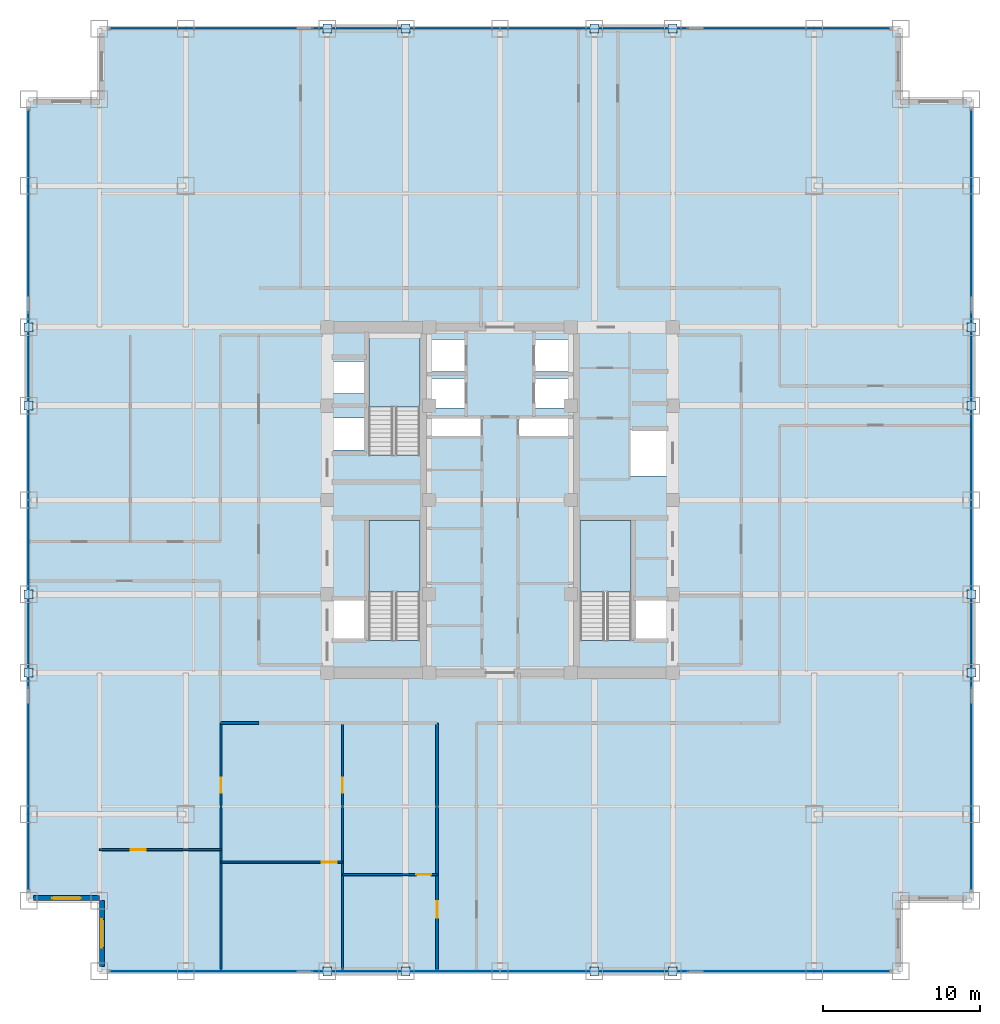
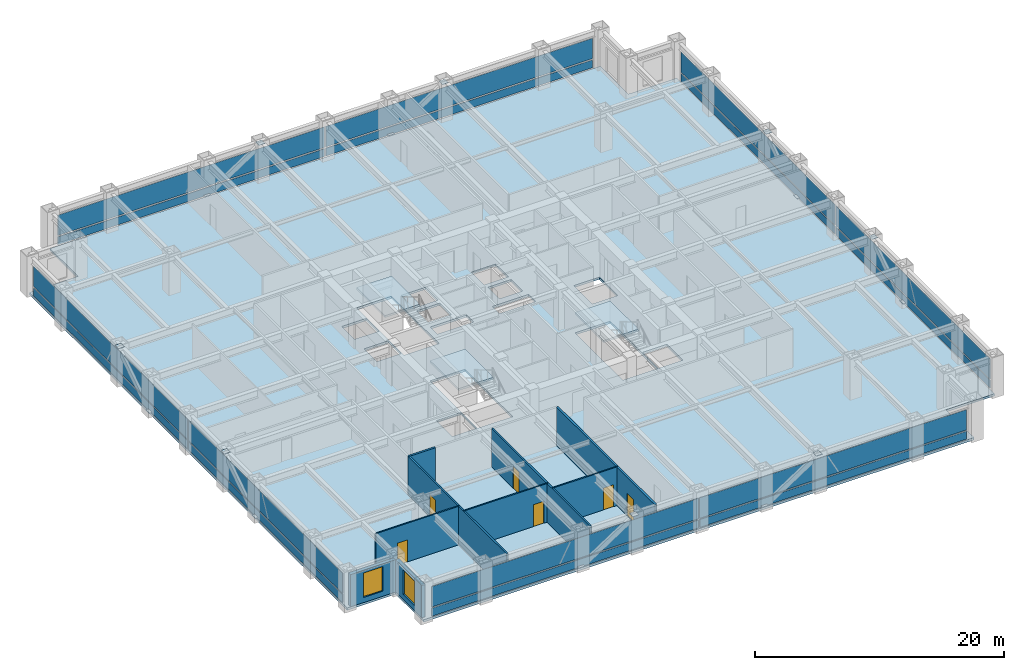
# One storey, part 19 of 24: 32 plates, 9 walls, 6 doors, 4 slabs, 2 windows, 8 openings, 7 elements without a shape of their own.
"""IFC4 building model written with IfcOpenShell, lengths in metres."""

from ifc_helpers import new_model, si_unit, direction, frame, frame_2d, origin, origin_2d, place, context, subcontext, project, spatial, polyline, rectangle, outline, extrude, source, transform, mapped, material, layer, layer_set, type_object, element, fill, aggregate, save


model = new_model("IFC4")

# Units and contexts
model_context = context("Model", 3, precision=1e-05, world=origin(), true_north=direction((0.0, 1.0)))
body_context = subcontext(model_context, "Body", "Model", "MODEL_VIEW")
ifc_project = project(units=[si_unit("LENGTHUNIT", "METRE"), si_unit("AREAUNIT", "SQUARE_METRE"), si_unit("VOLUMEUNIT", "CUBIC_METRE"), si_unit("PLANEANGLEUNIT", "RADIAN"), si_unit("MASSUNIT", "GRAM", prefix="KILO")], contexts=[model_context])

# Site, building, storey
site_placement = place(None, origin())
site = spatial("IfcSite", under=ifc_project, at=site_placement, CompositionType="ELEMENT")
building_placement = place(site_placement, origin())
building = spatial("IfcBuilding", under=site, at=building_placement, Name="Khorayat Bourse Tower", CompositionType="ELEMENT")
storey_placement = place(building_placement, frame((0.0, 0.0, 171.10009765625)))
storey = spatial("IfcBuildingStorey", under=building, at=storey_placement, Name="L39", CompositionType="ELEMENT", Elevation=171.10009765625)

# Stair, slab
ifc_material_1 = material(Name="Concrete C40/50", Category="concrete")
stair_type = type_object("IfcStairType", Name="STR-CORE-1550", PredefinedType="HALF_TURN_STAIR", material=ifc_material_1)
stair_1_placement = place(storey_placement, origin())
stair_1 = element("IfcStair", 1, at=stair_1_placement, inside=storey, type_object=stair_type, Name="L39 Exit Stair ST-1", PredefinedType="HALF_TURN_STAIR")
ifc_layer_1 = layer(ifc_material_1, 0.199951171875)
ifc_layer_set_1 = layer_set([ifc_layer_1], Name="Concrete C40/50")
slab_type_1 = type_object("IfcSlabType", Name="SLB-LANDING-200", PredefinedType="LANDING", material=ifc_layer_set_1)
slab_1_placement = place(storey_placement, frame((0.0, 0.0, 1.7998046875)))
slab_1 = element("IfcSlab", 2, at=slab_1_placement, type_object=slab_type_1, Name="ST-1 landing 1", PredefinedType="LANDING", context=body_context, shape_type="SweptSolid", body=[
    extrude(outline(polyline([(-5.10009765625, -5.8701171875), (-5.10009765625, -1.300048828125), (-8.35009765625, -1.300048828125), (-8.35009765625, -5.8701171875), (-5.10009765625, -5.8701171875)])), origin(), (0.0, 0.0, 1.0), 0.2001953125),
])
aggregate(stair_1, [slab_1])

stair_2_placement = place(storey_placement, origin())
stair_2 = element("IfcStair", 3, at=stair_2_placement, inside=storey, type_object=stair_type, Name="L39 Exit Stair ST-2", PredefinedType="HALF_TURN_STAIR")
slab_2_placement = place(storey_placement, frame((0.0, 0.0, 1.7998046875)))
slab_2 = element("IfcSlab", 4, at=slab_2_placement, type_object=slab_type_1, Name="ST-2 landing 1", PredefinedType="LANDING", context=body_context, shape_type="SweptSolid", body=[
    extrude(outline(polyline([(-5.10009765625, 5.929931640625), (-5.10009765625, 10.5), (-8.35009765625, 10.5), (-8.35009765625, 5.929931640625), (-5.10009765625, 5.929931640625)])), origin(), (0.0, 0.0, 1.0), 0.2001953125),
])
aggregate(stair_2, [slab_2])

stair_3_placement = place(storey_placement, origin())
stair_3 = element("IfcStair", 5, at=stair_3_placement, inside=storey, type_object=stair_type, Name="L39 Exit Stair ST-3", PredefinedType="HALF_TURN_STAIR")
slab_3_placement = place(storey_placement, frame((0.0, 0.0, 1.7998046875)))
slab_3 = element("IfcSlab", 6, at=slab_3_placement, type_object=slab_type_1, Name="ST-3 landing 1", PredefinedType="LANDING", context=body_context, shape_type="SweptSolid", body=[
    extrude(outline(polyline([(8.35009765625, -5.8701171875), (8.35009765625, -1.300048828125), (5.10009765625, -1.300048828125), (5.10009765625, -5.8701171875), (8.35009765625, -5.8701171875)])), origin(), (0.0, 0.0, 1.0), 0.2001953125),
])
aggregate(stair_3, [slab_3])

# Slab
ifc_layer_2 = layer(ifc_material_1, 0.219970703125)
ifc_layer_set_2 = layer_set([ifc_layer_2], Name="Concrete C40/50")
slab_type_2 = type_object("IfcSlabType", Name="SLB-OFFICE-220", PredefinedType="FLOOR", material=ifc_layer_set_2)
slab_4_placement = place(storey_placement, frame((0.0, 0.0, -0.22021484375)))
element("IfcSlab", 7, at=slab_4_placement, inside=storey, type_object=slab_type_2, Name="L39 Main Floor Slab", PredefinedType="FLOOR", context=body_context, shape_type="SweptSolid", body=[
    extrude(outline(polyline([(-25.5, -30.0), (25.5, -30.0), (25.5, -25.5), (30.0, -25.5), (30.0, 25.5), (25.5, 25.5), (25.5, 30.0), (-25.5, 30.0), (-25.5, 25.5), (-30.0, 25.5), (-30.0, -25.5), (-25.5, -25.5), (-25.5, -30.0)]), holes=[polyline([(-8.35009765625, -8.945068359375), (-5.10009765625, -8.945068359375), (-5.10009765625, -1.300048828125), (-8.35009765625, -1.300048828125), (-8.35009765625, -8.945068359375)]), polyline([(-8.35009765625, 2.85498046875), (-5.10009765625, 2.85498046875), (-5.10009765625, 10.5), (-8.35009765625, 10.5), (-8.35009765625, 2.85498046875)]), polyline([(5.10009765625, -8.945068359375), (8.35009765625, -8.945068359375), (8.35009765625, -1.300048828125), (5.10009765625, -1.300048828125), (5.10009765625, -8.945068359375)]), polyline([(-4.3798828125, 8.169921875), (-2.1201171875, 8.169921875), (-2.1201171875, 10.22998046875), (-4.3798828125, 10.22998046875), (-4.3798828125, 8.169921875)]), polyline([(2.1201171875, 8.169921875), (4.3798828125, 8.169921875), (4.3798828125, 10.22998046875), (2.1201171875, 10.22998046875), (2.1201171875, 8.169921875)]), polyline([(-4.3798828125, 5.8701171875), (-2.219970703125, 5.8701171875), (-2.219970703125, 7.72998046875), (-4.3798828125, 7.72998046875), (-4.3798828125, 5.8701171875)]), polyline([(2.219970703125, 5.8701171875), (4.3798828125, 5.8701171875), (4.3798828125, 7.72998046875), (2.219970703125, 7.72998046875), (2.219970703125, 5.8701171875)]), polyline([(-10.679931640625, 3.169921875), (-8.419921875, 3.169921875), (-8.419921875, 5.22998046875), (-10.679931640625, 5.22998046875), (-10.679931640625, 3.169921875)]), polyline([(-10.679931640625, 6.77001953125), (-8.419921875, 6.77001953125), (-8.419921875, 8.830078125), (-10.679931640625, 8.830078125), (-10.679931640625, 6.77001953125)]), polyline([(-10.679931640625, -8.929931640625), (-8.419921875, -8.929931640625), (-8.419921875, -6.3701171875), (-10.679931640625, -6.3701171875), (-10.679931640625, -8.929931640625)]), polyline([(8.419921875, -8.929931640625), (10.679931640625, -8.929931640625), (10.679931640625, -6.3701171875), (8.419921875, -6.3701171875), (8.419921875, -8.929931640625)]), polyline([(8.320068359375, 1.52001953125), (10.679931640625, 1.52001953125), (10.679931640625, 4.47998046875), (8.320068359375, 4.47998046875), (8.320068359375, 1.52001953125)]), polyline([(-4.56005859375, 4.080078125), (-1.18994140625, 4.080078125), (-1.18994140625, 5.219970703125), (-4.56005859375, 5.219970703125), (-4.56005859375, 4.080078125)]), polyline([(1.18994140625, 4.080078125), (4.56005859375, 4.080078125), (4.56005859375, 5.219970703125), (1.18994140625, 5.219970703125), (1.18994140625, 4.080078125)])]), origin(), (0.0, 0.0, 1.0), 0.22021484375),
])

# Plates
ifc_material_2 = material(Name="Steel EN 10025-2 S355J2", Category="steel")
ifc_layer_3 = layer(ifc_material_2, 0.02490234375)
ifc_layer_set_3 = layer_set([ifc_layer_3], Name="Steel EN 10025-2 S355J2")
plate_type_1 = type_object("IfcPlateType", Name="PLT-ENDCAP-25", PredefinedType="SHEET", material=ifc_layer_set_3)
shared_shape_1 = source(origin(), body_context, "Body", "SweptSolid", [
    extrude(rectangle(XDim=0.56005859375, YDim=0.56005859375, at=origin_2d()), origin(), (0.0, 0.0, 1.0), 0.02490234375),
])
for number, where, z_axis, x_axis, name in (
    (8, (-11.0, -30.0, 0.237548828125), (0.0, 0.0, 1.0), (1.0, 0.0, 0.0), "L39 Perimeter Brace End Plate 001"),
    (9, (-6.0, -30.0, 3.517333984375), (0.0, 0.0, 1.0), (1.0, 0.0, 0.0), "L39 Perimeter Brace End Plate 002"),
    (10, (6.0, -30.0, 0.237548828125), (0.0, 0.0, 1.0), (1.0, 0.0, 0.0), "L39 Perimeter Brace End Plate 003"),
    (11, (11.0, -30.0, 3.517333984375), (0.0, 0.0, 1.0), (1.0, 0.0, 0.0), "L39 Perimeter Brace End Plate 004"),
    (12, (-11.0, 30.0, 0.237548828125), (0.0, 0.0, 1.0), (1.0, 0.0, 0.0), "L39 Perimeter Brace End Plate 005"),
    (13, (-6.0, 30.0, 3.517333984375), (0.0, 0.0, 1.0), (1.0, 0.0, 0.0), "L39 Perimeter Brace End Plate 006"),
    (14, (6.0, 30.0, 0.237548828125), (0.0, 0.0, 1.0), (1.0, 0.0, 0.0), "L39 Perimeter Brace End Plate 007"),
    (15, (11.0, 30.0, 3.517333984375), (0.0, 0.0, 1.0), (1.0, 0.0, 0.0), "L39 Perimeter Brace End Plate 008"),
    (16, (-30.0, -11.0, 0.237548828125), (0.0, 0.0, 1.0), (1.0, 0.0, 0.0), "L39 Perimeter Brace End Plate 009"),
    (17, (-30.0, -6.0, 3.517333984375), (0.0, 0.0, 1.0), (1.0, 0.0, 0.0), "L39 Perimeter Brace End Plate 010"),
    (18, (-30.0, 6.0, 0.237548828125), (0.0, 0.0, 1.0), (1.0, 0.0, 0.0), "L39 Perimeter Brace End Plate 011"),
    (19, (-30.0, 11.0, 3.517333984375), (0.0, 0.0, 1.0), (1.0, 0.0, 0.0), "L39 Perimeter Brace End Plate 012"),
    (20, (30.0, -11.0, 0.237548828125), (0.0, 0.0, 1.0), (1.0, 0.0, 0.0), "L39 Perimeter Brace End Plate 013"),
    (21, (30.0, -6.0, 3.517333984375), (0.0, 0.0, 1.0), (1.0, 0.0, 0.0), "L39 Perimeter Brace End Plate 014"),
    (22, (30.0, 6.0, 0.237548828125), (0.0, 0.0, 1.0), (1.0, 0.0, 0.0), "L39 Perimeter Brace End Plate 015"),
    (23, (30.0, 11.0, 3.517333984375), (0.0, 0.0, 1.0), (1.0, 0.0, 0.0), "L39 Perimeter Brace End Plate 016"),
):
    element("IfcPlate", number, at=place(storey_placement, frame(where, z_axis=z_axis, x_axis=x_axis)), inside=storey, type_object=plate_type_1, Name=name, PredefinedType="SHEET", context=body_context, shape_type="MappedRepresentation", body=[
        mapped(shared_shape_1, transform((0.0, 0.0, 0.0), scale=1.0)),
    ])

# Curtain wall, plates
ifc_material_3 = material(Name="Aluminium EN AW-6063 T6", Category="aluminium")
curtain_wall_type = type_object("IfcCurtainWallType", Name="CW-SYS-03", PredefinedType="NOTDEFINED", material=ifc_material_3)
curtain_wall_1_placement = place(storey_placement, origin())
curtain_wall_1 = element("IfcCurtainWall", 24, at=curtain_wall_1_placement, inside=storey, type_object=curtain_wall_type, Name="L39 Curtain Wall CW-L39-S1", PredefinedType="NOTDEFINED")
ifc_material_4 = material(Name="Honed desert limestone insulated spandrel", Category="masonry")
ifc_layer_4 = layer(ifc_material_4, 0.06494140625)
ifc_layer_set_4 = layer_set([ifc_layer_4], Name="Honed desert limestone insulated spandrel")
plate_type_2 = type_object("IfcPlateType", Name="CWP-SPAND-03", PredefinedType="CURTAIN_PANEL", material=ifc_layer_set_4)
shared_shape_2 = source(origin(), body_context, "Body", "SweptSolid", [
    extrude(rectangle(XDim=24.719970703125, YDim=0.06494140625, at=origin_2d()), origin(), (0.0, 0.0, 1.0), 0.77001953125),
])
plate_1_placement = place(storey_placement, frame((-12.419921875, -30.0, 0.119873046875), z_axis=(0.0, 0.0, 1.0), x_axis=(1.0, 0.0, 0.0)))
plate_1 = element("IfcPlate", 25, at=plate_1_placement, type_object=plate_type_2, Name="CW-L39-S1 Spandrel Panel 1-1", PredefinedType="CURTAIN_PANEL", context=body_context, shape_type="MappedRepresentation", body=[
    mapped(shared_shape_2, transform((0.0, 0.0, 0.0), scale=1.0)),
])
plate_2_placement = place(storey_placement, frame((12.419921875, -30.0, 0.119873046875), z_axis=(0.0, 0.0, 1.0), x_axis=(1.0, 0.0, 0.0)))
plate_2 = element("IfcPlate", 26, at=plate_2_placement, type_object=plate_type_2, Name="CW-L39-S1 Spandrel Panel 2-1", PredefinedType="CURTAIN_PANEL", context=body_context, shape_type="MappedRepresentation", body=[
    mapped(shared_shape_2, transform((0.0, 0.0, 0.0), scale=1.0)),
])

curtain_wall_2_placement = place(storey_placement, origin())
curtain_wall_2 = element("IfcCurtainWall", 27, at=curtain_wall_2_placement, inside=storey, type_object=curtain_wall_type, Name="L39 Curtain Wall CW-L39-N1", PredefinedType="NOTDEFINED")
plate_3_placement = place(storey_placement, frame((-12.419921875, 30.0, 0.119873046875), z_axis=(0.0, 0.0, 1.0), x_axis=(1.0, 0.0, 0.0)))
plate_3 = element("IfcPlate", 28, at=plate_3_placement, type_object=plate_type_2, Name="CW-L39-N1 Spandrel Panel 1-1", PredefinedType="CURTAIN_PANEL", context=body_context, shape_type="MappedRepresentation", body=[
    mapped(shared_shape_2, transform((0.0, 0.0, 0.0), scale=1.0)),
])
plate_4_placement = place(storey_placement, frame((12.419921875, 30.0, 0.119873046875), z_axis=(0.0, 0.0, 1.0), x_axis=(1.0, 0.0, 0.0)))
plate_4 = element("IfcPlate", 29, at=plate_4_placement, type_object=plate_type_2, Name="CW-L39-N1 Spandrel Panel 2-1", PredefinedType="CURTAIN_PANEL", context=body_context, shape_type="MappedRepresentation", body=[
    mapped(shared_shape_2, transform((0.0, 0.0, 0.0), scale=1.0)),
])

curtain_wall_3_placement = place(storey_placement, origin())
curtain_wall_3 = element("IfcCurtainWall", 30, at=curtain_wall_3_placement, inside=storey, type_object=curtain_wall_type, Name="L39 Curtain Wall CW-L39-W1", PredefinedType="NOTDEFINED")
plate_5_placement = place(storey_placement, frame((-30.0, -12.419921875, 0.119873046875), z_axis=(0.0, 0.0, 1.0), x_axis=(0.0, 1.0, 0.0)))
plate_5 = element("IfcPlate", 31, at=plate_5_placement, type_object=plate_type_2, Name="CW-L39-W1 Spandrel Panel 1-1", PredefinedType="CURTAIN_PANEL", context=body_context, shape_type="MappedRepresentation", body=[
    mapped(shared_shape_2, transform((0.0, 0.0, 0.0), scale=1.0)),
])
plate_6_placement = place(storey_placement, frame((-30.0, 12.419921875, 0.119873046875), z_axis=(0.0, 0.0, 1.0), x_axis=(0.0, 1.0, 0.0)))
plate_6 = element("IfcPlate", 32, at=plate_6_placement, type_object=plate_type_2, Name="CW-L39-W1 Spandrel Panel 2-1", PredefinedType="CURTAIN_PANEL", context=body_context, shape_type="MappedRepresentation", body=[
    mapped(shared_shape_2, transform((0.0, 0.0, 0.0), scale=1.0)),
])

curtain_wall_4_placement = place(storey_placement, origin())
curtain_wall_4 = element("IfcCurtainWall", 33, at=curtain_wall_4_placement, inside=storey, type_object=curtain_wall_type, Name="L39 Curtain Wall CW-L39-E1", PredefinedType="NOTDEFINED")
plate_7_placement = place(storey_placement, frame((30.0, -12.419921875, 0.119873046875), z_axis=(0.0, 0.0, 1.0), x_axis=(0.0, 1.0, 0.0)))
plate_7 = element("IfcPlate", 34, at=plate_7_placement, type_object=plate_type_2, Name="CW-L39-E1 Spandrel Panel 1-1", PredefinedType="CURTAIN_PANEL", context=body_context, shape_type="MappedRepresentation", body=[
    mapped(shared_shape_2, transform((0.0, 0.0, 0.0), scale=1.0)),
])
plate_8_placement = place(storey_placement, frame((30.0, 12.419921875, 0.119873046875), z_axis=(0.0, 0.0, 1.0), x_axis=(0.0, 1.0, 0.0)))
plate_8 = element("IfcPlate", 35, at=plate_8_placement, type_object=plate_type_2, Name="CW-L39-E1 Spandrel Panel 2-1", PredefinedType="CURTAIN_PANEL", context=body_context, shape_type="MappedRepresentation", body=[
    mapped(shared_shape_2, transform((0.0, 0.0, 0.0), scale=1.0)),
])

# Plate
ifc_material_5 = material(Name="Low-E solar-control laminated double glazing", Category="glass")
ifc_layer_5 = layer(ifc_material_5, 0.035888671875)
ifc_layer_set_5 = layer_set([ifc_layer_5], Name="Low-E solar-control laminated double glazing")
plate_type_3 = type_object("IfcPlateType", Name="CWP-VIS-01", PredefinedType="CURTAIN_PANEL", material=ifc_layer_set_5)
shared_shape_3 = source(origin(), body_context, "Body", "SweptSolid", [
    extrude(rectangle(XDim=24.719970703125, YDim=0.035888671875, at=origin_2d()), origin(), (0.0, 0.0, 1.0), 2.0),
])
plate_9_placement = place(storey_placement, frame((-12.419921875, -30.0, 1.010009765625), z_axis=(0.0, 0.0, 1.0), x_axis=(1.0, 0.0, 0.0)))
plate_9 = element("IfcPlate", 36, at=plate_9_placement, type_object=plate_type_3, Name="CW-L39-S1 Vision Panel 1-2", PredefinedType="CURTAIN_PANEL", context=body_context, shape_type="MappedRepresentation", body=[
    mapped(shared_shape_3, transform((0.0, 0.0, 0.0), scale=1.0)),
])

plate_10_placement = place(storey_placement, frame((12.419921875, -30.0, 1.010009765625), z_axis=(0.0, 0.0, 1.0), x_axis=(1.0, 0.0, 0.0)))
plate_10 = element("IfcPlate", 37, at=plate_10_placement, type_object=plate_type_3, Name="CW-L39-S1 Vision Panel 2-2", PredefinedType="CURTAIN_PANEL", context=body_context, shape_type="MappedRepresentation", body=[
    mapped(shared_shape_3, transform((0.0, 0.0, 0.0), scale=1.0)),
])

aggregate(curtain_wall_1, [plate_1, plate_9, plate_2, plate_10])

plate_11_placement = place(storey_placement, frame((-12.419921875, 30.0, 1.010009765625), z_axis=(0.0, 0.0, 1.0), x_axis=(1.0, 0.0, 0.0)))
plate_11 = element("IfcPlate", 38, at=plate_11_placement, type_object=plate_type_3, Name="CW-L39-N1 Vision Panel 1-2", PredefinedType="CURTAIN_PANEL", context=body_context, shape_type="MappedRepresentation", body=[
    mapped(shared_shape_3, transform((0.0, 0.0, 0.0), scale=1.0)),
])

plate_12_placement = place(storey_placement, frame((12.419921875, 30.0, 1.010009765625), z_axis=(0.0, 0.0, 1.0), x_axis=(1.0, 0.0, 0.0)))
plate_12 = element("IfcPlate", 39, at=plate_12_placement, type_object=plate_type_3, Name="CW-L39-N1 Vision Panel 2-2", PredefinedType="CURTAIN_PANEL", context=body_context, shape_type="MappedRepresentation", body=[
    mapped(shared_shape_3, transform((0.0, 0.0, 0.0), scale=1.0)),
])

aggregate(curtain_wall_2, [plate_3, plate_11, plate_4, plate_12])

plate_13_placement = place(storey_placement, frame((-30.0, -12.419921875, 1.010009765625), z_axis=(0.0, 0.0, 1.0), x_axis=(0.0, 1.0, 0.0)))
plate_13 = element("IfcPlate", 40, at=plate_13_placement, type_object=plate_type_3, Name="CW-L39-W1 Vision Panel 1-2", PredefinedType="CURTAIN_PANEL", context=body_context, shape_type="MappedRepresentation", body=[
    mapped(shared_shape_3, transform((0.0, 0.0, 0.0), scale=1.0)),
])

plate_14_placement = place(storey_placement, frame((-30.0, 12.419921875, 1.010009765625), z_axis=(0.0, 0.0, 1.0), x_axis=(0.0, 1.0, 0.0)))
plate_14 = element("IfcPlate", 41, at=plate_14_placement, type_object=plate_type_3, Name="CW-L39-W1 Vision Panel 2-2", PredefinedType="CURTAIN_PANEL", context=body_context, shape_type="MappedRepresentation", body=[
    mapped(shared_shape_3, transform((0.0, 0.0, 0.0), scale=1.0)),
])

aggregate(curtain_wall_3, [plate_5, plate_13, plate_6, plate_14])

plate_15_placement = place(storey_placement, frame((30.0, -12.419921875, 1.010009765625), z_axis=(0.0, 0.0, 1.0), x_axis=(0.0, 1.0, 0.0)))
plate_15 = element("IfcPlate", 42, at=plate_15_placement, type_object=plate_type_3, Name="CW-L39-E1 Vision Panel 1-2", PredefinedType="CURTAIN_PANEL", context=body_context, shape_type="MappedRepresentation", body=[
    mapped(shared_shape_3, transform((0.0, 0.0, 0.0), scale=1.0)),
])

plate_16_placement = place(storey_placement, frame((30.0, 12.419921875, 1.010009765625), z_axis=(0.0, 0.0, 1.0), x_axis=(0.0, 1.0, 0.0)))
plate_16 = element("IfcPlate", 43, at=plate_16_placement, type_object=plate_type_3, Name="CW-L39-E1 Vision Panel 2-2", PredefinedType="CURTAIN_PANEL", context=body_context, shape_type="MappedRepresentation", body=[
    mapped(shared_shape_3, transform((0.0, 0.0, 0.0), scale=1.0)),
])

aggregate(curtain_wall_4, [plate_7, plate_15, plate_8, plate_16])

# Wall, opening, window
ifc_material_6 = material(Name="Precast concrete C45/55", Category="concrete")
ifc_layer_6 = layer(ifc_material_6, 0.320068359375)
ifc_layer_set_6 = layer_set([ifc_layer_6], Name="Precast concrete C45/55")
wall_type_1 = type_object("IfcWallType", Name="WAL-EXT-STONE-320", PredefinedType="STANDARD", material=ifc_layer_set_6)
shared_shape_4 = source(origin(), body_context, "Body", "SweptSolid", [
    extrude(rectangle(XDim=4.179931640625, YDim=0.320068359375, at=frame_2d((2.08984375, 0.0))), origin(), (0.0, 0.0, 1.0), 3.163818359375),
])
wall_1_placement = place(storey_placement, frame((-25.5, -25.340087890625, 0.0), z_axis=(0.0, 0.0, 1.0), x_axis=(-1.0, 0.0, 0.0)))
wall_1 = element("IfcWall", 44, at=wall_1_placement, inside=storey, type_object=wall_type_1, Name="L39 Re-Entrant Notch Limestone Wall SW-H", PredefinedType="STANDARD", context=body_context, shape_type="MappedRepresentation", body=[
    mapped(shared_shape_4, transform((0.0, 0.0, 0.0), scale=1.0)),
])
shared_shape_5 = source(origin(), body_context, "Body", "SweptSolid", [
    extrude(rectangle(XDim=1.800048828125, YDim=2.39990234375, at=frame_2d((0.89990234375, 1.199951171875))), frame((0.0, 0.169921875, 0.0), z_axis=(0.0, -1.0, 0.0), x_axis=(1.0, 0.0, 0.0)), (0.0, 0.0, 1.0), 0.340087890625),
])
opening_1_placement = place(wall_1_placement, frame((1.18994140625, 0.0, 0.5)))
opening_1 = element("IfcOpeningElement", 45, at=opening_1_placement, cuts=wall_1, Name="Opening WN-04", PredefinedType="OPENING", context=body_context, shape_type="MappedRepresentation", body=[
    mapped(shared_shape_5, transform((0.0, 0.0, 0.0), scale=1.0)),
])
ifc_material_7 = material(Name="Low-E acoustic laminated double glazing", Category="glass")
window_type = type_object("IfcWindowType", Name="WIN-NOTCH-1800x2400", PartitioningType="SINGLE_PANEL", PredefinedType="WINDOW", material=ifc_material_7)
shared_shape_6 = source(origin(), body_context, "Body", "SweptSolid", [
    extrude(rectangle(XDim=1.800048828125, YDim=2.39990234375, at=frame_2d((0.89990234375, 1.199951171875))), frame((0.0, 0.030029296875, 0.0), z_axis=(0.0, -1.0, 0.0), x_axis=(1.0, 0.0, 0.0)), (0.0, 0.0, 1.0), 0.06005859375),
])
window_1_placement = place(opening_1_placement, origin())
window_1 = element("IfcWindow", 46, at=window_1_placement, inside=storey, type_object=window_type, Name="L39 Facade Window 1", OverallHeight=2.39990234375, OverallWidth=1.800048828125, PartitioningType="SINGLE_PANEL", PredefinedType="WINDOW", context=body_context, shape_type="MappedRepresentation", body=[
    mapped(shared_shape_6, transform((0.0, 0.0, 0.0), scale=1.0)),
])
fill(opening_1, window_1)

wall_2_placement = place(storey_placement, frame((-25.340087890625, -29.679931640625, 0.0), z_axis=(0.0, 0.0, 1.0), x_axis=(0.0, 1.0, 0.0)))
wall_2 = element("IfcWall", 47, at=wall_2_placement, inside=storey, type_object=wall_type_1, Name="L39 Re-Entrant Notch Limestone Wall SW-V", PredefinedType="STANDARD", context=body_context, shape_type="MappedRepresentation", body=[
    mapped(shared_shape_4, transform((0.0, 0.0, 0.0), scale=1.0)),
])
opening_2_placement = place(wall_2_placement, frame((1.18994140625, 0.0, 0.5)))
opening_2 = element("IfcOpeningElement", 48, at=opening_2_placement, cuts=wall_2, Name="Opening WN-04", PredefinedType="OPENING", context=body_context, shape_type="MappedRepresentation", body=[
    mapped(shared_shape_5, transform((0.0, 0.0, 0.0), scale=1.0)),
])
window_2_placement = place(opening_2_placement, origin())
window_2 = element("IfcWindow", 49, at=window_2_placement, inside=storey, type_object=window_type, Name="L39 Facade Window 1", OverallHeight=2.39990234375, OverallWidth=1.800048828125, PartitioningType="SINGLE_PANEL", PredefinedType="WINDOW", context=body_context, shape_type="MappedRepresentation", body=[
    mapped(shared_shape_6, transform((0.0, 0.0, 0.0), scale=1.0)),
])
fill(opening_2, window_2)

# Wall
ifc_material_8 = material(Name="Gypsum plasterboard acoustic stud wall")
ifc_layer_7 = layer(ifc_material_8, 0.179931640625)
ifc_layer_set_7 = layer_set([ifc_layer_7], Name="Gypsum plasterboard acoustic stud wall")
wall_type_2 = type_object("IfcWallType", Name="WAL-PART-CORR-180", PredefinedType="PARTITIONING", material=ifc_layer_set_7)
shared_shape_7 = source(origin(), body_context, "Body", "SweptSolid", [
    extrude(rectangle(XDim=2.449951171875, YDim=0.179931640625, at=frame_2d((1.22509765625, 0.0))), origin(), (0.0, 0.0, 1.0), 3.77978515625),
])
wall_3_placement = place(storey_placement, frame((-17.800048828125, -14.199951171875, 0.0), z_axis=(0.0, 0.0, 1.0), x_axis=(1.0, 0.0, 0.0)))
element("IfcWall", 50, at=wall_3_placement, inside=storey, type_object=wall_type_2, Name="L39 Partition WAL-L39-C2-WS", PredefinedType="PARTITIONING", context=body_context, shape_type="MappedRepresentation", body=[
    mapped(shared_shape_7, transform((0.0, 0.0, 0.0), scale=1.0)),
])

# Wall, opening, door
ifc_material_9 = material(Name="Gypsum plasterboard twin-frame partition")
ifc_layer_8 = layer(ifc_material_9, 0.14990234375)
ifc_layer_set_8 = layer_set([ifc_layer_8], Name="Gypsum plasterboard twin-frame partition")
wall_type_3 = type_object("IfcWallType", Name="WAL-PART-SUITE-150", PredefinedType="PARTITIONING", material=ifc_layer_set_8)
shared_shape_8 = source(origin(), body_context, "Body", "SweptSolid", [
    extrude(rectangle(XDim=15.800048828125, YDim=0.14990234375, at=frame_2d((7.89990234375, 0.0))), origin(), (0.0, 0.0, 1.0), 3.77978515625),
])
wall_4_placement = place(storey_placement, frame((-17.760009765625, -30.0, 0.0), z_axis=(0.0, 0.0, 1.0), x_axis=(0.0, 1.0, 0.0)))
wall_4 = element("IfcWall", 51, at=wall_4_placement, inside=storey, type_object=wall_type_3, Name="L39 Partition WAL-L39-QSWDV-1", PredefinedType="PARTITIONING", context=body_context, shape_type="MappedRepresentation", body=[
    mapped(shared_shape_8, transform((0.0, 0.0, 0.0), scale=1.0)),
])
shared_shape_9 = source(origin(), body_context, "Body", "SweptSolid", [
    extrude(rectangle(XDim=0.949951171875, YDim=2.14990234375, at=frame_2d((0.47509765625, 1.074951171875))), frame((0.0, 0.0849609375, 0.0), z_axis=(0.0, -1.0, 0.0), x_axis=(1.0, 0.0, 0.0)), (0.0, 0.0, 1.0), 0.169921875),
])
opening_3_placement = place(wall_4_placement, frame((11.375, 0.0, 0.0)))
opening_3 = element("IfcOpeningElement", 52, at=opening_3_placement, cuts=wall_4, Name="Opening DI-05", PredefinedType="OPENING", context=body_context, shape_type="MappedRepresentation", body=[
    mapped(shared_shape_9, transform((0.0, 0.0, 0.0), scale=1.0)),
])
ifc_material_10 = material(Name="Acoustic oak veneer office door")
door_type_1 = type_object("IfcDoorType", Name="DR-INT-OFFICE-950", OperationType="NOTDEFINED", PredefinedType="DOOR", material=ifc_material_10)
shared_shape_10 = source(origin(), body_context, "Body", "SweptSolid", [
    extrude(rectangle(XDim=0.949951171875, YDim=2.14990234375, at=frame_2d((0.47509765625, 1.074951171875))), frame((0.0, 0.02490234375, 0.0), z_axis=(0.0, -1.0, 0.0), x_axis=(1.0, 0.0, 0.0)), (0.0, 0.0, 1.0), 0.050048828125),
])
door_1_placement = place(opening_3_placement, origin())
door_1 = element("IfcDoor", 53, at=door_1_placement, inside=storey, type_object=door_type_1, Name="L39 South-West Suite Link 1", OperationType="SINGLE_SWING_RIGHT", OverallHeight=2.14990234375, OverallWidth=0.949951171875, PredefinedType="DOOR", context=body_context, shape_type="MappedRepresentation", body=[
    mapped(shared_shape_10, transform((0.0, 0.0, 0.0), scale=1.0)),
])
fill(opening_3, door_1)

wall_5_placement = place(storey_placement, frame((-10.02001953125, -30.0, 0.0), z_axis=(0.0, 0.0, 1.0), x_axis=(0.0, 1.0, 0.0)))
wall_5 = element("IfcWall", 54, at=wall_5_placement, inside=storey, type_object=wall_type_3, Name="L39 Partition WAL-L39-QSWDV-2", PredefinedType="PARTITIONING", context=body_context, shape_type="MappedRepresentation", body=[
    mapped(shared_shape_8, transform((0.0, 0.0, 0.0), scale=1.0)),
])
opening_4_placement = place(wall_5_placement, frame((11.375, 0.0, 0.0)))
opening_4 = element("IfcOpeningElement", 55, at=opening_4_placement, cuts=wall_5, Name="Opening DI-05", PredefinedType="OPENING", context=body_context, shape_type="MappedRepresentation", body=[
    mapped(shared_shape_9, transform((0.0, 0.0, 0.0), scale=1.0)),
])
door_2_placement = place(opening_4_placement, origin())
door_2 = element("IfcDoor", 56, at=door_2_placement, inside=storey, type_object=door_type_1, Name="L39 South-West Suite Link 2", OperationType="SINGLE_SWING_LEFT", OverallHeight=2.14990234375, OverallWidth=0.949951171875, PredefinedType="DOOR", context=body_context, shape_type="MappedRepresentation", body=[
    mapped(shared_shape_10, transform((0.0, 0.0, 0.0), scale=1.0)),
])
fill(opening_4, door_2)

shared_shape_11 = source(origin(), body_context, "Body", "SweptSolid", [
    extrude(rectangle(XDim=15.800048828125, YDim=0.179931640625, at=frame_2d((7.89990234375, 0.0))), origin(), (0.0, 0.0, 1.0), 3.77978515625),
])
wall_6_placement = place(storey_placement, frame((-4.0, -30.0, 0.0), z_axis=(0.0, 0.0, 1.0), x_axis=(0.0, 1.0, 0.0)))
wall_6 = element("IfcWall", 57, at=wall_6_placement, inside=storey, type_object=wall_type_2, Name="L39 Partition WAL-L39-QSW-SPK", PredefinedType="PARTITIONING", context=body_context, shape_type="MappedRepresentation", body=[
    mapped(shared_shape_11, transform((0.0, 0.0, 0.0), scale=1.0)),
])
shared_shape_12 = source(origin(), body_context, "Body", "SweptSolid", [
    extrude(rectangle(XDim=1.050048828125, YDim=2.199951171875, at=frame_2d((0.52490234375, 1.10009765625))), frame((0.0, 0.099853515625, 0.0), z_axis=(0.0, -1.0, 0.0), x_axis=(1.0, 0.0, 0.0)), (0.0, 0.0, 1.0), 0.199951171875),
])
opening_5_placement = place(wall_6_placement, frame((3.425048828125, 0.0, 0.0)))
opening_5 = element("IfcOpeningElement", 58, at=opening_5_placement, cuts=wall_6, Name="Opening DI-04", PredefinedType="OPENING", context=body_context, shape_type="MappedRepresentation", body=[
    mapped(shared_shape_12, transform((0.0, 0.0, 0.0), scale=1.0)),
])
ifc_material_11 = material(Name="Fire-rated oak veneer suite entrance door")
door_type_2 = type_object("IfcDoorType", Name="DR-INT-SUITE-1050", OperationType="NOTDEFINED", PredefinedType="DOOR", material=ifc_material_11)
shared_shape_13 = source(origin(), body_context, "Body", "SweptSolid", [
    extrude(rectangle(XDim=1.050048828125, YDim=2.199951171875, at=frame_2d((0.52490234375, 1.10009765625))), frame((0.0, 0.02490234375, 0.0), z_axis=(0.0, -1.0, 0.0), x_axis=(1.0, 0.0, 0.0)), (0.0, 0.0, 1.0), 0.050048828125),
])
door_3_placement = place(opening_5_placement, origin())
door_3 = element("IfcDoor", 59, at=door_3_placement, inside=storey, type_object=door_type_2, Name="L39 South-West Radial Spoke Entry", OperationType="SINGLE_SWING_LEFT", OverallHeight=2.199951171875, OverallWidth=1.050048828125, PredefinedType="DOOR", context=body_context, shape_type="MappedRepresentation", body=[
    mapped(shared_shape_13, transform((0.0, 0.0, 0.0), scale=1.0)),
])
fill(opening_5, door_3)

ifc_material_12 = material(Name="Gypsum plasterboard partition")
ifc_layer_9 = layer(ifc_material_12, 0.125)
ifc_layer_set_9 = layer_set([ifc_layer_9], Name="Gypsum plasterboard partition")
wall_type_4 = type_object("IfcWallType", Name="WAL-PART-ROOM-125", PredefinedType="PARTITIONING", material=ifc_layer_set_9)
shared_shape_14 = source(origin(), body_context, "Body", "SweptSolid", [
    extrude(rectangle(XDim=7.739990234375, YDim=0.125, at=frame_2d((3.8701171875, 0.0))), origin(), (0.0, 0.0, 1.0), 3.77978515625),
])
wall_7_placement = place(storey_placement, frame((-25.5, -22.258056640625, 0.0), z_axis=(0.0, 0.0, 1.0), x_axis=(1.0, 0.0, 0.0)))
wall_7 = element("IfcWall", 60, at=wall_7_placement, inside=storey, type_object=wall_type_4, Name="L39 Partition WAL-L39-QSWDP-1", PredefinedType="PARTITIONING", context=body_context, shape_type="MappedRepresentation", body=[
    mapped(shared_shape_14, transform((0.0, 0.0, 0.0), scale=1.0)),
])
shared_shape_15 = source(origin(), body_context, "Body", "SweptSolid", [
    extrude(rectangle(XDim=0.949951171875, YDim=2.14990234375, at=frame_2d((0.47509765625, 1.074951171875))), frame((0.0, 0.072509765625, 0.0), z_axis=(0.0, -1.0, 0.0), x_axis=(1.0, 0.0, 0.0)), (0.0, 0.0, 1.0), 0.14501953125),
])
opening_6_placement = place(wall_7_placement, frame((2.001708984375, 0.0, 0.0)))
opening_6 = element("IfcOpeningElement", 61, at=opening_6_placement, cuts=wall_7, Name="Opening DI-05", PredefinedType="OPENING", context=body_context, shape_type="MappedRepresentation", body=[
    mapped(shared_shape_15, transform((0.0, 0.0, 0.0), scale=1.0)),
])
door_4_placement = place(opening_6_placement, origin())
door_4 = element("IfcDoor", 62, at=door_4_placement, inside=storey, type_object=door_type_1, Name="L39 South-West Market Committee Conference Room 1B Door", OperationType="SINGLE_SWING_RIGHT", OverallHeight=2.14990234375, OverallWidth=0.949951171875, PredefinedType="DOOR", context=body_context, shape_type="MappedRepresentation", body=[
    mapped(shared_shape_10, transform((0.0, 0.0, 0.0), scale=1.0)),
])
fill(opening_6, door_4)

wall_8_placement = place(storey_placement, frame((-17.760009765625, -23.048095703125, 0.0), z_axis=(0.0, 0.0, 1.0), x_axis=(1.0, 0.0, 0.0)))
wall_8 = element("IfcWall", 63, at=wall_8_placement, inside=storey, type_object=wall_type_4, Name="L39 Partition WAL-L39-QSWDP-2", PredefinedType="PARTITIONING", context=body_context, shape_type="MappedRepresentation", body=[
    mapped(shared_shape_14, transform((0.0, 0.0, 0.0), scale=1.0)),
])
opening_7_placement = place(wall_8_placement, frame((6.4150390625, 0.0, 0.0)))
opening_7 = element("IfcOpeningElement", 64, at=opening_7_placement, cuts=wall_8, Name="Opening DI-05", PredefinedType="OPENING", context=body_context, shape_type="MappedRepresentation", body=[
    mapped(shared_shape_15, transform((0.0, 0.0, 0.0), scale=1.0)),
])
door_5_placement = place(opening_7_placement, origin())
door_5 = element("IfcDoor", 65, at=door_5_placement, inside=storey, type_object=door_type_1, Name="L39 South-West Brokerage Seminar Room 2B Door", OperationType="SINGLE_SWING_LEFT", OverallHeight=2.14990234375, OverallWidth=0.949951171875, PredefinedType="DOOR", context=body_context, shape_type="MappedRepresentation", body=[
    mapped(shared_shape_10, transform((0.0, 0.0, 0.0), scale=1.0)),
])
fill(opening_7, door_5)

shared_shape_16 = source(origin(), body_context, "Body", "SweptSolid", [
    extrude(rectangle(XDim=6.02001953125, YDim=0.125, at=frame_2d((3.010009765625, 0.0))), origin(), (0.0, 0.0, 1.0), 3.77978515625),
])
wall_9_placement = place(storey_placement, frame((-10.02001953125, -23.837890625, 0.0), z_axis=(0.0, 0.0, 1.0), x_axis=(1.0, 0.0, 0.0)))
wall_9 = element("IfcWall", 66, at=wall_9_placement, inside=storey, type_object=wall_type_4, Name="L39 Partition WAL-L39-QSWDP-3", PredefinedType="PARTITIONING", context=body_context, shape_type="MappedRepresentation", body=[
    mapped(shared_shape_16, transform((0.0, 0.0, 0.0), scale=1.0)),
])
opening_8_placement = place(wall_9_placement, frame((4.695068359375, 0.0, 0.0)))
opening_8 = element("IfcOpeningElement", 67, at=opening_8_placement, cuts=wall_9, Name="Opening DI-05", PredefinedType="OPENING", context=body_context, shape_type="MappedRepresentation", body=[
    mapped(shared_shape_15, transform((0.0, 0.0, 0.0), scale=1.0)),
])
door_6_placement = place(opening_8_placement, origin())
door_6 = element("IfcDoor", 68, at=door_6_placement, inside=storey, type_object=door_type_1, Name="L39 South-West Members Exchange Lounge 3B Door", OperationType="SINGLE_SWING_RIGHT", OverallHeight=2.14990234375, OverallWidth=0.949951171875, PredefinedType="DOOR", context=body_context, shape_type="MappedRepresentation", body=[
    mapped(shared_shape_10, transform((0.0, 0.0, 0.0), scale=1.0)),
])
fill(opening_8, door_6)

save(model, "model.ifc")
